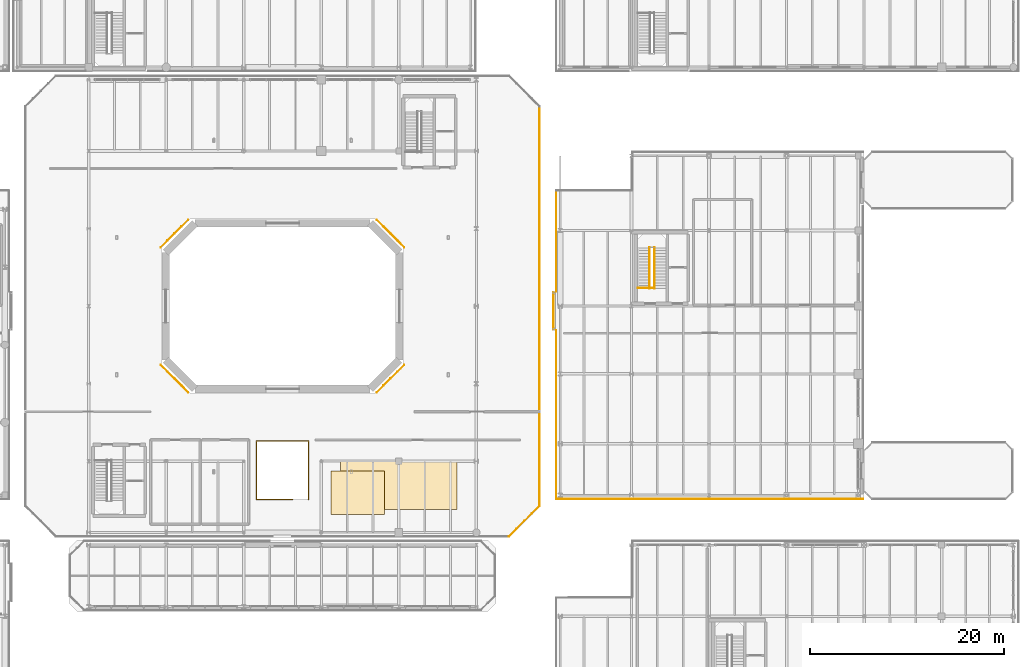
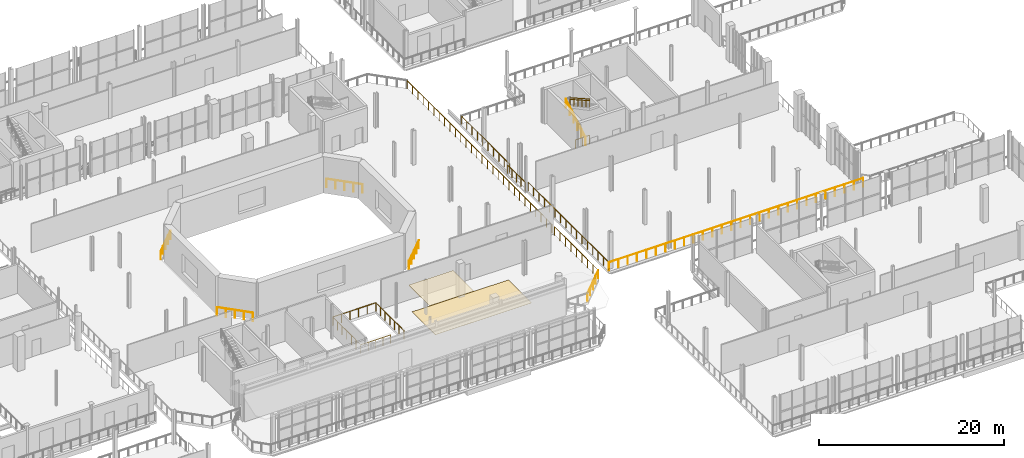
# One storey, part 85 of 93: 17 railings, 2 coverings.
"""IFC4 building model written with IfcOpenShell, lengths in metres."""

from ifc_helpers import new_model, si_unit, direction, frame, origin, origin_2d, place, context, subcontext, project, spatial, rectangle, circle, extrude, material, layer, layer_set, type_object, element, save


model = new_model("IFC4")

# Units and contexts
model_context = context("Model", 3, precision=1e-05, world=origin(), true_north=direction((0.0, 1.0)))
body_context = subcontext(model_context, "Body", "Model", "MODEL_VIEW")
ifc_project = project(units=[si_unit("LENGTHUNIT", "METRE"), si_unit("AREAUNIT", "SQUARE_METRE"), si_unit("VOLUMEUNIT", "CUBIC_METRE"), si_unit("PLANEANGLEUNIT", "RADIAN"), si_unit("MASSUNIT", "GRAM", prefix="KILO")], contexts=[model_context])

# Site, building, storey
site_placement = place(None, origin())
site = spatial("IfcSite", under=ifc_project, at=site_placement, CompositionType="ELEMENT")
building_placement = place(site_placement, origin())
building = spatial("IfcBuilding", under=site, at=building_placement, Name="Brisemont Oceanarium", CompositionType="ELEMENT")
storey_placement = place(building_placement, frame((0.0, 0.0, 5.39990234375)))
storey = spatial("IfcBuildingStorey", under=building, at=storey_placement, Name="L01", CompositionType="ELEMENT", Elevation=5.39990234375)

# Coverings
ifc_material_1 = material(Name="Perforated Marine-Grade Acoustic Baffle Ceiling")
ifc_layer_1 = layer(ifc_material_1, 0.0400390625)
ifc_layer_set_1 = layer_set([ifc_layer_1], Name="Perforated Marine-Grade Acoustic Baffle Ceiling")
covering_type_1 = type_object("IfcCoveringType", Name="COV-CEIL-AC", PredefinedType="CEILING", material=ifc_layer_set_1)
covering_1_placement = place(storey_placement, frame((91.75, 36.75, 4.4599609375), z_axis=(0.0, 0.0, 1.0), x_axis=(1.0, 0.0, 0.0)))
element("IfcCovering", 1, at=covering_1_placement, inside=storey, type_object=covering_type_1, Name="Acoustic baffle ceiling CLG-V1-L01", PredefinedType="CEILING", context=body_context, shape_type="SweptSolid", body=[
    extrude(rectangle(XDim=5.5, YDim=4.5, at=origin_2d()), origin(), (0.0, 0.0, 1.0), 0.0400390625),
])
ifc_material_2 = material(Name="Epoxy-Bound Recycled Glass Marine Terrazzo", Category="glass")
ifc_layer_2 = layer(ifc_material_2, 0.02490234375)
ifc_layer_set_2 = layer_set([ifc_layer_2], Name="Epoxy-Bound Recycled Glass Marine Terrazzo")
covering_type_2 = type_object("IfcCoveringType", Name="COV-FLR-TER", PredefinedType="FLOORING", material=ifc_layer_set_2)
covering_2_placement = place(storey_placement, frame((96.0, 37.5, 0.000244140625), z_axis=(0.0, 0.0, 1.0), x_axis=(1.0, 0.0, 0.0)))
element("IfcCovering", 2, at=covering_2_placement, inside=storey, type_object=covering_type_2, Name="Marine terrazzo flooring FLG-V1-L01", PredefinedType="FLOORING", context=body_context, shape_type="SweptSolid", body=[
    extrude(rectangle(XDim=12.0, YDim=5.0, at=origin_2d()), origin(), (0.0, 0.0, 1.0), 0.02490234375),
])

# Railings
ifc_material_3 = material(Name="Beaux-Arts Limestone Balustrade Precast Concrete C40/50", Category="masonry")
railing_type_1 = type_object("IfcRailingType", Name="RLG-BAL-1140", PredefinedType="BALUSTRADE", material=ifc_material_3)
railing_1_placement = place(storey_placement, frame((85.0400390625, 36.050048828125, 0.0)))
element("IfcRailing", 3, at=railing_1_placement, inside=storey, type_object=railing_type_1, Name="ST-11 L01 well balustrade", PredefinedType="BALUSTRADE", context=body_context, shape_type="SweptSolid", body=[
    extrude(circle(Radius=0.02392578125, at=origin_2d()), frame((0.0, 0.0, 1.11572265625), z_axis=(-1.0, 0.0, 0.0), x_axis=(0.0, -1.0, 0.0)), (0.0, 0.0, 1.0), 3.719970703125),
    extrude(circle(Radius=0.02392578125, at=origin_2d()), frame((-3.719970703125, 0.0, 1.11572265625), z_axis=(0.0, 1.0, 0.0), x_axis=(-1.0, 0.0, 0.0)), (0.0, 0.0, 1.0), 6.030029296875),
    extrude(circle(Radius=0.02392578125, at=origin_2d()), frame((-3.719970703125, 6.030029296875, 1.11572265625), z_axis=(1.0, 0.0, 0.0), x_axis=(0.0, 1.0, 0.0)), (0.0, 0.0, 1.0), 5.35986328125),
    extrude(circle(Radius=0.02392578125, at=origin_2d()), frame((1.639892578125, 6.030029296875, 1.11572265625), z_axis=(0.0, -1.0, 0.0), x_axis=(1.0, 0.0, 0.0)), (0.0, 0.0, 1.0), 6.030029296875),
    extrude(circle(Radius=0.02099609375, at=origin_2d()), origin(), (0.0, 0.0, 1.0), 1.091796875),
    extrude(circle(Radius=0.02099609375, at=origin_2d()), frame((-0.929931640625, 0.0, 0.0)), (0.0, 0.0, 1.0), 1.091796875),
    extrude(circle(Radius=0.02099609375, at=origin_2d()), frame((-1.85986328125, 0.0, 0.0)), (0.0, 0.0, 1.0), 1.091796875),
    extrude(circle(Radius=0.02099609375, at=origin_2d()), frame((-2.7900390625, 0.0, 0.0)), (0.0, 0.0, 1.0), 1.091796875),
    extrude(circle(Radius=0.02099609375, at=origin_2d()), frame((-3.719970703125, 0.0, 0.0)), (0.0, 0.0, 1.0), 1.091796875),
    extrude(circle(Radius=0.02099609375, at=origin_2d()), frame((-3.719970703125, 1.0048828125, 0.0)), (0.0, 0.0, 1.0), 1.091796875),
    extrude(circle(Radius=0.02099609375, at=origin_2d()), frame((-3.719970703125, 2.010009765625, 0.0)), (0.0, 0.0, 1.0), 1.091796875),
    extrude(circle(Radius=0.02099609375, at=origin_2d()), frame((-3.719970703125, 3.01513671875, 0.0)), (0.0, 0.0, 1.0), 1.091796875),
    extrude(circle(Radius=0.02099609375, at=origin_2d()), frame((-3.719970703125, 4.02001953125, 0.0)), (0.0, 0.0, 1.0), 1.091796875),
    extrude(circle(Radius=0.02099609375, at=origin_2d()), frame((-3.719970703125, 5.02490234375, 0.0)), (0.0, 0.0, 1.0), 1.091796875),
    extrude(circle(Radius=0.02099609375, at=origin_2d()), frame((-3.719970703125, 6.030029296875, 0.0)), (0.0, 0.0, 1.0), 1.091796875),
    extrude(circle(Radius=0.02099609375, at=origin_2d()), frame((-2.64794921875, 6.030029296875, 0.0)), (0.0, 0.0, 1.0), 1.091796875),
    extrude(circle(Radius=0.02099609375, at=origin_2d()), frame((-1.575927734375, 6.030029296875, 0.0)), (0.0, 0.0, 1.0), 1.091796875),
    extrude(circle(Radius=0.02099609375, at=origin_2d()), frame((-0.504150390625, 6.030029296875, 0.0)), (0.0, 0.0, 1.0), 1.091796875),
    extrude(circle(Radius=0.02099609375, at=origin_2d()), frame((0.56787109375, 6.030029296875, 0.0)), (0.0, 0.0, 1.0), 1.091796875),
    extrude(circle(Radius=0.02099609375, at=origin_2d()), frame((1.639892578125, 6.030029296875, 0.0)), (0.0, 0.0, 1.0), 1.091796875),
    extrude(circle(Radius=0.02099609375, at=origin_2d()), frame((1.639892578125, 5.02490234375, 0.0)), (0.0, 0.0, 1.0), 1.091796875),
    extrude(circle(Radius=0.02099609375, at=origin_2d()), frame((1.639892578125, 4.02001953125, 0.0)), (0.0, 0.0, 1.0), 1.091796875),
    extrude(circle(Radius=0.02099609375, at=origin_2d()), frame((1.639892578125, 3.01513671875, 0.0)), (0.0, 0.0, 1.0), 1.091796875),
    extrude(circle(Radius=0.02099609375, at=origin_2d()), frame((1.639892578125, 2.010009765625, 0.0)), (0.0, 0.0, 1.0), 1.091796875),
    extrude(circle(Radius=0.02099609375, at=origin_2d()), frame((1.639892578125, 1.0048828125, 0.0)), (0.0, 0.0, 1.0), 1.091796875),
    extrude(circle(Radius=0.02099609375, at=origin_2d()), frame((1.639892578125, 0.0, 0.0)), (0.0, 0.0, 1.0), 1.091796875),
])
railing_2_placement = place(storey_placement, frame((111.93994140625, 53.590087890625, 0.0)))
element("IfcRailing", 4, at=railing_2_placement, inside=storey, type_object=railing_type_1, Name="L01 slab perimeter safety guard 20", PredefinedType="BALUSTRADE", context=body_context, shape_type="SweptSolid", body=[
    extrude(circle(Radius=0.02392578125, at=origin_2d()), frame((0.0, 0.0, 1.11572265625), z_axis=(0.0, 1.0, 0.0), x_axis=(-1.0, 0.0, 0.0)), (0.0, 0.0, 1.0), 3.81982421875),
    extrude(circle(Radius=0.02099609375, at=origin_2d()), origin(), (0.0, 0.0, 1.0), 1.091796875),
    extrude(circle(Radius=0.02099609375, at=origin_2d()), frame((0.0, 0.955078125, 0.0)), (0.0, 0.0, 1.0), 1.091796875),
    extrude(circle(Radius=0.02099609375, at=origin_2d()), frame((0.0, 1.909912109375, 0.0)), (0.0, 0.0, 1.0), 1.091796875),
    extrude(circle(Radius=0.02099609375, at=origin_2d()), frame((0.0, 2.86474609375, 0.0)), (0.0, 0.0, 1.0), 1.091796875),
    extrude(circle(Radius=0.02099609375, at=origin_2d()), frame((0.0, 3.81982421875, 0.0)), (0.0, 0.0, 1.0), 1.091796875),
])
railing_3_placement = place(storey_placement, frame((143.909912109375, 36.090576171875, 0.0)))
element("IfcRailing", 5, at=railing_3_placement, inside=storey, type_object=railing_type_1, Name="L01 slab perimeter safety guard 40", PredefinedType="BALUSTRADE", context=body_context, shape_type="SweptSolid", body=[
    extrude(circle(Radius=0.02392578125, at=origin_2d()), frame((0.0, 0.0, 1.11572265625), z_axis=(-0.999999999881, -1.5418061e-05, 0.0), x_axis=(1.5418061e-05, -0.999999999881, 0.0)), (0.0, 0.0, 1.0), 31.66943359375),
    extrude(circle(Radius=0.02099609375, at=origin_2d()), origin(), (0.0, 0.0, 1.0), 1.091796875),
    extrude(circle(Radius=0.02099609375, at=origin_2d()), frame((-1.1728515625, 0.0, 0.0)), (0.0, 0.0, 1.0), 1.091796875),
    extrude(circle(Radius=0.02099609375, at=origin_2d()), frame((-2.345947265625, 0.0, 0.0)), (0.0, 0.0, 1.0), 1.091796875),
    extrude(circle(Radius=0.02099609375, at=origin_2d()), frame((-3.518798828125, 0.0, 0.0)), (0.0, 0.0, 1.0), 1.091796875),
    extrude(circle(Radius=0.02099609375, at=origin_2d()), frame((-4.691650390625, 0.0, 0.0)), (0.0, 0.0, 1.0), 1.091796875),
    extrude(circle(Radius=0.02099609375, at=origin_2d()), frame((-5.86474609375, 0.0, 0.0)), (0.0, 0.0, 1.0), 1.091796875),
    extrude(circle(Radius=0.02099609375, at=origin_2d()), frame((-7.03759765625, 0.0, 0.0)), (0.0, 0.0, 1.0), 1.091796875),
    extrude(circle(Radius=0.02099609375, at=origin_2d()), frame((-8.210693359375, -0.000244140625, 0.0)), (0.0, 0.0, 1.0), 1.091796875),
    extrude(circle(Radius=0.02099609375, at=origin_2d()), frame((-9.383544921875, -0.000244140625, 0.0)), (0.0, 0.0, 1.0), 1.091796875),
    extrude(circle(Radius=0.02099609375, at=origin_2d()), frame((-10.556396484375, -0.000244140625, 0.0)), (0.0, 0.0, 1.0), 1.091796875),
    extrude(circle(Radius=0.02099609375, at=origin_2d()), frame((-11.7294921875, -0.000244140625, 0.0)), (0.0, 0.0, 1.0), 1.091796875),
    extrude(circle(Radius=0.02099609375, at=origin_2d()), frame((-12.90234375, -0.000244140625, 0.0)), (0.0, 0.0, 1.0), 1.091796875),
    extrude(circle(Radius=0.02099609375, at=origin_2d()), frame((-14.0751953125, -0.000244140625, 0.0)), (0.0, 0.0, 1.0), 1.091796875),
    extrude(circle(Radius=0.02099609375, at=origin_2d()), frame((-15.248291015625, -0.000244140625, 0.0)), (0.0, 0.0, 1.0), 1.091796875),
    extrude(circle(Radius=0.02099609375, at=origin_2d()), frame((-16.421142578125, -0.000244140625, 0.0)), (0.0, 0.0, 1.0), 1.091796875),
    extrude(circle(Radius=0.02099609375, at=origin_2d()), frame((-17.59423828125, -0.000244140625, 0.0)), (0.0, 0.0, 1.0), 1.091796875),
    extrude(circle(Radius=0.02099609375, at=origin_2d()), frame((-18.76708984375, -0.000244140625, 0.0)), (0.0, 0.0, 1.0), 1.091796875),
    extrude(circle(Radius=0.02099609375, at=origin_2d()), frame((-19.93994140625, -0.000244140625, 0.0)), (0.0, 0.0, 1.0), 1.091796875),
    extrude(circle(Radius=0.02099609375, at=origin_2d()), frame((-21.113037109375, -0.000244140625, 0.0)), (0.0, 0.0, 1.0), 1.091796875),
    extrude(circle(Radius=0.02099609375, at=origin_2d()), frame((-22.285888671875, -0.000244140625, 0.0)), (0.0, 0.0, 1.0), 1.091796875),
    extrude(circle(Radius=0.02099609375, at=origin_2d()), frame((-23.458740234375, -0.000244140625, 0.0)), (0.0, 0.0, 1.0), 1.091796875),
    extrude(circle(Radius=0.02099609375, at=origin_2d()), frame((-24.6318359375, -0.00048828125, 0.0)), (0.0, 0.0, 1.0), 1.091796875),
    extrude(circle(Radius=0.02099609375, at=origin_2d()), frame((-25.8046875, -0.00048828125, 0.0)), (0.0, 0.0, 1.0), 1.091796875),
    extrude(circle(Radius=0.02099609375, at=origin_2d()), frame((-26.977783203125, -0.00048828125, 0.0)), (0.0, 0.0, 1.0), 1.091796875),
    extrude(circle(Radius=0.02099609375, at=origin_2d()), frame((-28.150634765625, -0.00048828125, 0.0)), (0.0, 0.0, 1.0), 1.091796875),
    extrude(circle(Radius=0.02099609375, at=origin_2d()), frame((-29.323486328125, -0.00048828125, 0.0)), (0.0, 0.0, 1.0), 1.091796875),
    extrude(circle(Radius=0.02099609375, at=origin_2d()), frame((-30.49658203125, -0.00048828125, 0.0)), (0.0, 0.0, 1.0), 1.091796875),
    extrude(circle(Radius=0.02099609375, at=origin_2d()), frame((-31.66943359375, -0.00048828125, 0.0)), (0.0, 0.0, 1.0), 1.091796875),
])
railing_4_placement = place(storey_placement, frame((110.510009765625, 44.800537109375, 0.0)))
element("IfcRailing", 6, at=railing_4_placement, inside=storey, type_object=railing_type_1, Name="L01 slab perimeter safety guard 48", PredefinedType="BALUSTRADE", context=body_context, shape_type="SweptSolid", body=[
    extrude(circle(Radius=0.02392578125, at=origin_2d()), frame((0.0, 0.0, 1.11572265625), z_axis=(0.0, -1.0, 0.0), x_axis=(1.0, 0.0, 0.0)), (0.0, 0.0, 1.0), 9.413330078125),
    extrude(circle(Radius=0.02099609375, at=origin_2d()), origin(), (0.0, 0.0, 1.0), 1.091796875),
    extrude(circle(Radius=0.02099609375, at=origin_2d()), frame((0.0, -1.1767578125, 0.0)), (0.0, 0.0, 1.0), 1.091796875),
    extrude(circle(Radius=0.02099609375, at=origin_2d()), frame((0.0, -2.353271484375, 0.0)), (0.0, 0.0, 1.0), 1.091796875),
    extrude(circle(Radius=0.02099609375, at=origin_2d()), frame((0.0, -3.530029296875, 0.0)), (0.0, 0.0, 1.0), 1.091796875),
    extrude(circle(Radius=0.02099609375, at=origin_2d()), frame((0.0, -4.70654296875, 0.0)), (0.0, 0.0, 1.0), 1.091796875),
    extrude(circle(Radius=0.02099609375, at=origin_2d()), frame((0.0, -5.88330078125, 0.0)), (0.0, 0.0, 1.0), 1.091796875),
    extrude(circle(Radius=0.02099609375, at=origin_2d()), frame((0.0, -7.06005859375, 0.0)), (0.0, 0.0, 1.0), 1.091796875),
    extrude(circle(Radius=0.02099609375, at=origin_2d()), frame((0.0, -8.236572265625, 0.0)), (0.0, 0.0, 1.0), 1.091796875),
    extrude(circle(Radius=0.02099609375, at=origin_2d()), frame((0.0, -9.413330078125, 0.0)), (0.0, 0.0, 1.0), 1.091796875),
])
railing_5_placement = place(storey_placement, frame((96.560791015625, 62.06640625, 0.0)))
element("IfcRailing", 7, at=railing_5_placement, inside=storey, type_object=railing_type_1, Name="L01 slab perimeter safety guard 56", PredefinedType="BALUSTRADE", context=body_context, shape_type="SweptSolid", body=[
    extrude(circle(Radius=0.02392578125, at=origin_2d()), frame((0.0, 0.0, 1.11572265625), z_axis=(-0.707106781187, 0.707106781187, 0.0), x_axis=(-0.707106781187, -0.707106781187, 0.0)), (0.0, 0.0, 1.0), 4.01171875),
    extrude(circle(Radius=0.02099609375, at=origin_2d()), origin(), (0.0, 0.0, 1.0), 1.091796875),
    extrude(circle(Radius=0.02099609375, at=origin_2d()), frame((-0.709228515625, 0.709228515625, 0.0)), (0.0, 0.0, 1.0), 1.091796875),
    extrude(circle(Radius=0.02099609375, at=origin_2d()), frame((-1.41845703125, 1.41845703125, 0.0)), (0.0, 0.0, 1.0), 1.091796875),
    extrude(circle(Radius=0.02099609375, at=origin_2d()), frame((-2.12744140625, 2.12744140625, 0.0)), (0.0, 0.0, 1.0), 1.091796875),
    extrude(circle(Radius=0.02099609375, at=origin_2d()), frame((-2.836669921875, 2.836669921875, 0.0)), (0.0, 0.0, 1.0), 1.091796875),
])
ifc_material_4 = material(Name="Duplex Stainless Steel EN 1.4462", Category="steel")
railing_type_2 = type_object("IfcRailingType", Name="RLG-GUARD-1120", PredefinedType="GUARDRAIL", material=ifc_material_4)
railing_6_placement = place(storey_placement, frame((120.669921875, 57.860107421875, 0.0)))
element("IfcRailing", 8, at=railing_6_placement, inside=storey, type_object=railing_type_2, Name="ST-06 L01 landing edge guard", PredefinedType="GUARDRAIL", context=body_context, shape_type="SweptSolid", body=[
    extrude(circle(Radius=0.02392578125, at=origin_2d()), frame((0.0, 0.0, 1.09619140625), z_axis=(1.0, 0.0, 0.0), x_axis=(0.0, 1.0, 0.0)), (0.0, 0.0, 1.0), 1.719970703125),
    extrude(circle(Radius=0.02099609375, at=origin_2d()), origin(), (0.0, 0.0, 1.0), 1.072021484375),
    extrude(circle(Radius=0.02099609375, at=origin_2d()), frame((0.85986328125, 0.0, 0.0)), (0.0, 0.0, 1.0), 1.072021484375),
    extrude(circle(Radius=0.02099609375, at=origin_2d()), frame((1.719970703125, 0.0, 0.0)), (0.0, 0.0, 1.0), 1.072021484375),
])
railing_7_placement = place(storey_placement, frame((121.8701171875, 57.800048828125, 0.0)))
element("IfcRailing", 9, at=railing_7_placement, inside=storey, type_object=railing_type_2, Name="ST-06 L01 F1 well guard", PredefinedType="GUARDRAIL", context=body_context, shape_type="SweptSolid", body=[
    extrude(circle(Radius=0.02392578125, at=origin_2d()), frame((0.0, 0.0, 1.09619140625), z_axis=(0.0, 0.870740716755, 0.491742416499), x_axis=(-1.0, 0.0, 0.0)), (0.0, 0.0, 1.0), 4.880859375),
    extrude(circle(Radius=0.02099609375, at=origin_2d()), origin(), (0.0, 0.0, 1.0), 1.072021484375),
    extrude(circle(Radius=0.02099609375, at=origin_2d()), frame((0.0, 0.85009765625, 0.47998046875)), (0.0, 0.0, 1.0), 1.072021484375),
    extrude(circle(Radius=0.02099609375, at=origin_2d()), frame((0.0, 1.699951171875, 0.9599609375)), (0.0, 0.0, 1.0), 1.072021484375),
    extrude(circle(Radius=0.02099609375, at=origin_2d()), frame((0.0, 2.550048828125, 1.440185546875)), (0.0, 0.0, 1.0), 1.072021484375),
    extrude(circle(Radius=0.02099609375, at=origin_2d()), frame((0.0, 3.39990234375, 1.920166015625)), (0.0, 0.0, 1.0), 1.072021484375),
    extrude(circle(Radius=0.02099609375, at=origin_2d()), frame((0.0, 4.25, 2.400146484375)), (0.0, 0.0, 1.0), 1.072021484375),
])
railing_8_placement = place(storey_placement, frame((122.389892578125, 62.050048828125, 2.400146484375)))
element("IfcRailing", 10, at=railing_8_placement, inside=storey, type_object=railing_type_2, Name="ST-06 L01 F2 well guard", PredefinedType="GUARDRAIL", context=body_context, shape_type="SweptSolid", body=[
    extrude(circle(Radius=0.02392578125, at=origin_2d()), frame((0.0, 0.0, 1.09619140625), z_axis=(0.0, -0.870762133844, 0.491704490791), x_axis=(1.0, 0.0, 0.0)), (0.0, 0.0, 1.0), 4.880859375),
    extrude(circle(Radius=0.02099609375, at=origin_2d()), origin(), (0.0, 0.0, 1.0), 1.072021484375),
    extrude(circle(Radius=0.02099609375, at=origin_2d()), frame((0.0, -0.85009765625, 0.47998046875)), (0.0, 0.0, 1.0), 1.072021484375),
    extrude(circle(Radius=0.02099609375, at=origin_2d()), frame((0.0, -1.699951171875, 0.9599609375)), (0.0, 0.0, 1.0), 1.072021484375),
    extrude(circle(Radius=0.02099609375, at=origin_2d()), frame((0.0, -2.550048828125, 1.43994140625)), (0.0, 0.0, 1.0), 1.072021484375),
    extrude(circle(Radius=0.02099609375, at=origin_2d()), frame((0.0, -3.39990234375, 1.919921875)), (0.0, 0.0, 1.0), 1.072021484375),
    extrude(circle(Radius=0.02099609375, at=origin_2d()), frame((0.0, -4.25, 2.39990234375)), (0.0, 0.0, 1.0), 1.072021484375),
])
railing_9_placement = place(storey_placement, frame((112.239990234375, 57.50830078125, 0.0)))
element("IfcRailing", 11, at=railing_9_placement, inside=storey, type_object=railing_type_2, Name="L01 slab perimeter safety guard 21", PredefinedType="GUARDRAIL", context=body_context, shape_type="SweptSolid", body=[
    extrude(circle(Radius=0.02392578125, at=origin_2d()), frame((0.0, 0.0, 1.09619140625), z_axis=(0.0, 1.0, 0.0), x_axis=(-1.0, 0.0, 0.0)), (0.0, 0.0, 1.0), 10.401123046875),
    extrude(circle(Radius=0.02099609375, at=origin_2d()), origin(), (0.0, 0.0, 1.0), 1.072021484375),
    extrude(circle(Radius=0.02099609375, at=origin_2d()), frame((0.0, 1.15576171875, 0.0)), (0.0, 0.0, 1.0), 1.072021484375),
    extrude(circle(Radius=0.02099609375, at=origin_2d()), frame((0.0, 2.311279296875, 0.0)), (0.0, 0.0, 1.0), 1.072021484375),
    extrude(circle(Radius=0.02099609375, at=origin_2d()), frame((0.0, 3.467041015625, 0.0)), (0.0, 0.0, 1.0), 1.072021484375),
    extrude(circle(Radius=0.02099609375, at=origin_2d()), frame((0.0, 4.622802734375, 0.0)), (0.0, 0.0, 1.0), 1.072021484375),
    extrude(circle(Radius=0.02099609375, at=origin_2d()), frame((0.0, 5.7783203125, 0.0)), (0.0, 0.0, 1.0), 1.072021484375),
    extrude(circle(Radius=0.02099609375, at=origin_2d()), frame((0.0, 6.93408203125, 0.0)), (0.0, 0.0, 1.0), 1.072021484375),
    extrude(circle(Radius=0.02099609375, at=origin_2d()), frame((0.0, 8.08984375, 0.0)), (0.0, 0.0, 1.0), 1.072021484375),
    extrude(circle(Radius=0.02099609375, at=origin_2d()), frame((0.0, 9.245361328125, 0.0)), (0.0, 0.0, 1.0), 1.072021484375),
    extrude(circle(Radius=0.02099609375, at=origin_2d()), frame((0.0, 10.401123046875, 0.0)), (0.0, 0.0, 1.0), 1.072021484375),
])
railing_10_placement = place(storey_placement, frame((112.240478515625, 36.090087890625, 0.0)))
element("IfcRailing", 12, at=railing_10_placement, inside=storey, type_object=railing_type_2, Name="L01 slab perimeter safety guard 41", PredefinedType="GUARDRAIL", context=body_context, shape_type="SweptSolid", body=[
    extrude(circle(Radius=0.02392578125, at=origin_2d()), frame((0.0, 0.0, 1.09619140625), z_axis=(-2.8059542e-05, 0.999999999606, 0.0), x_axis=(-0.999999999606, -2.8059542e-05, 0.0)), (0.0, 0.0, 1.0), 17.401611328125),
    extrude(circle(Radius=0.02099609375, at=origin_2d()), origin(), (0.0, 0.0, 1.0), 1.072021484375),
    extrude(circle(Radius=0.02099609375, at=origin_2d()), frame((0.0, 1.16015625, 0.0)), (0.0, 0.0, 1.0), 1.072021484375),
    extrude(circle(Radius=0.02099609375, at=origin_2d()), frame((0.0, 2.3203125, 0.0)), (0.0, 0.0, 1.0), 1.072021484375),
    extrude(circle(Radius=0.02099609375, at=origin_2d()), frame((0.0, 3.480224609375, 0.0)), (0.0, 0.0, 1.0), 1.072021484375),
    extrude(circle(Radius=0.02099609375, at=origin_2d()), frame((-0.000244140625, 4.640380859375, 0.0)), (0.0, 0.0, 1.0), 1.072021484375),
    extrude(circle(Radius=0.02099609375, at=origin_2d()), frame((-0.000244140625, 5.800537109375, 0.0)), (0.0, 0.0, 1.0), 1.072021484375),
    extrude(circle(Radius=0.02099609375, at=origin_2d()), frame((-0.000244140625, 6.960693359375, 0.0)), (0.0, 0.0, 1.0), 1.072021484375),
    extrude(circle(Radius=0.02099609375, at=origin_2d()), frame((-0.000244140625, 8.120849609375, 0.0)), (0.0, 0.0, 1.0), 1.072021484375),
    extrude(circle(Radius=0.02099609375, at=origin_2d()), frame((-0.000244140625, 9.28076171875, 0.0)), (0.0, 0.0, 1.0), 1.072021484375),
    extrude(circle(Radius=0.02099609375, at=origin_2d()), frame((-0.000244140625, 10.44091796875, 0.0)), (0.0, 0.0, 1.0), 1.072021484375),
    extrude(circle(Radius=0.02099609375, at=origin_2d()), frame((-0.000244140625, 11.60107421875, 0.0)), (0.0, 0.0, 1.0), 1.072021484375),
    extrude(circle(Radius=0.02099609375, at=origin_2d()), frame((-0.000244140625, 12.76123046875, 0.0)), (0.0, 0.0, 1.0), 1.072021484375),
    extrude(circle(Radius=0.02099609375, at=origin_2d()), frame((-0.00048828125, 13.92138671875, 0.0)), (0.0, 0.0, 1.0), 1.072021484375),
    extrude(circle(Radius=0.02099609375, at=origin_2d()), frame((-0.00048828125, 15.081298828125, 0.0)), (0.0, 0.0, 1.0), 1.072021484375),
    extrude(circle(Radius=0.02099609375, at=origin_2d()), frame((-0.00048828125, 16.241455078125, 0.0)), (0.0, 0.0, 1.0), 1.072021484375),
    extrude(circle(Radius=0.02099609375, at=origin_2d()), frame((-0.00048828125, 17.401611328125, 0.0)), (0.0, 0.0, 1.0), 1.072021484375),
])
railing_11_placement = place(storey_placement, frame((110.510009765625, 76.61279296875, 0.0)))
element("IfcRailing", 13, at=railing_11_placement, inside=storey, type_object=railing_type_2, Name="L01 slab perimeter safety guard 47", PredefinedType="GUARDRAIL", context=body_context, shape_type="SweptSolid", body=[
    extrude(circle(Radius=0.02392578125, at=origin_2d()), frame((0.0, 0.0, 1.09619140625), z_axis=(0.0, -1.0, 0.0), x_axis=(1.0, 0.0, 0.0)), (0.0, 0.0, 1.0), 31.21337890625),
    extrude(circle(Radius=0.02099609375, at=origin_2d()), origin(), (0.0, 0.0, 1.0), 1.072021484375),
    extrude(circle(Radius=0.02099609375, at=origin_2d()), frame((0.0, -1.156005859375, 0.0)), (0.0, 0.0, 1.0), 1.072021484375),
    extrude(circle(Radius=0.02099609375, at=origin_2d()), frame((0.0, -2.31201171875, 0.0)), (0.0, 0.0, 1.0), 1.072021484375),
    extrude(circle(Radius=0.02099609375, at=origin_2d()), frame((0.0, -3.46826171875, 0.0)), (0.0, 0.0, 1.0), 1.072021484375),
    extrude(circle(Radius=0.02099609375, at=origin_2d()), frame((0.0, -4.624267578125, 0.0)), (0.0, 0.0, 1.0), 1.072021484375),
    extrude(circle(Radius=0.02099609375, at=origin_2d()), frame((0.0, -5.7802734375, 0.0)), (0.0, 0.0, 1.0), 1.072021484375),
    extrude(circle(Radius=0.02099609375, at=origin_2d()), frame((0.0, -6.936279296875, 0.0)), (0.0, 0.0, 1.0), 1.072021484375),
    extrude(circle(Radius=0.02099609375, at=origin_2d()), frame((0.0, -8.09228515625, 0.0)), (0.0, 0.0, 1.0), 1.072021484375),
    extrude(circle(Radius=0.02099609375, at=origin_2d()), frame((0.0, -9.248291015625, 0.0)), (0.0, 0.0, 1.0), 1.072021484375),
    extrude(circle(Radius=0.02099609375, at=origin_2d()), frame((0.0, -10.404541015625, 0.0)), (0.0, 0.0, 1.0), 1.072021484375),
    extrude(circle(Radius=0.02099609375, at=origin_2d()), frame((0.0, -11.560546875, 0.0)), (0.0, 0.0, 1.0), 1.072021484375),
    extrude(circle(Radius=0.02099609375, at=origin_2d()), frame((0.0, -12.716552734375, 0.0)), (0.0, 0.0, 1.0), 1.072021484375),
    extrude(circle(Radius=0.02099609375, at=origin_2d()), frame((0.0, -13.87255859375, 0.0)), (0.0, 0.0, 1.0), 1.072021484375),
    extrude(circle(Radius=0.02099609375, at=origin_2d()), frame((0.0, -15.028564453125, 0.0)), (0.0, 0.0, 1.0), 1.072021484375),
    extrude(circle(Radius=0.02099609375, at=origin_2d()), frame((0.0, -16.184814453125, 0.0)), (0.0, 0.0, 1.0), 1.072021484375),
    extrude(circle(Radius=0.02099609375, at=origin_2d()), frame((0.0, -17.3408203125, 0.0)), (0.0, 0.0, 1.0), 1.072021484375),
    extrude(circle(Radius=0.02099609375, at=origin_2d()), frame((0.0, -18.496826171875, 0.0)), (0.0, 0.0, 1.0), 1.072021484375),
    extrude(circle(Radius=0.02099609375, at=origin_2d()), frame((0.0, -19.65283203125, 0.0)), (0.0, 0.0, 1.0), 1.072021484375),
    extrude(circle(Radius=0.02099609375, at=origin_2d()), frame((0.0, -20.808837890625, 0.0)), (0.0, 0.0, 1.0), 1.072021484375),
    extrude(circle(Radius=0.02099609375, at=origin_2d()), frame((0.0, -21.965087890625, 0.0)), (0.0, 0.0, 1.0), 1.072021484375),
    extrude(circle(Radius=0.02099609375, at=origin_2d()), frame((0.0, -23.12109375, 0.0)), (0.0, 0.0, 1.0), 1.072021484375),
    extrude(circle(Radius=0.02099609375, at=origin_2d()), frame((0.0, -24.277099609375, 0.0)), (0.0, 0.0, 1.0), 1.072021484375),
    extrude(circle(Radius=0.02099609375, at=origin_2d()), frame((0.0, -25.43310546875, 0.0)), (0.0, 0.0, 1.0), 1.072021484375),
    extrude(circle(Radius=0.02099609375, at=origin_2d()), frame((0.0, -26.589111328125, 0.0)), (0.0, 0.0, 1.0), 1.072021484375),
    extrude(circle(Radius=0.02099609375, at=origin_2d()), frame((0.0, -27.7451171875, 0.0)), (0.0, 0.0, 1.0), 1.072021484375),
    extrude(circle(Radius=0.02099609375, at=origin_2d()), frame((0.0, -28.9013671875, 0.0)), (0.0, 0.0, 1.0), 1.072021484375),
    extrude(circle(Radius=0.02099609375, at=origin_2d()), frame((0.0, -30.057373046875, 0.0)), (0.0, 0.0, 1.0), 1.072021484375),
    extrude(circle(Radius=0.02099609375, at=origin_2d()), frame((0.0, -31.21337890625, 0.0)), (0.0, 0.0, 1.0), 1.072021484375),
])
railing_12_placement = place(storey_placement, frame((110.510009765625, 35.38720703125, 0.0)))
element("IfcRailing", 14, at=railing_12_placement, inside=storey, type_object=railing_type_2, Name="L01 slab perimeter safety guard 49", PredefinedType="GUARDRAIL", context=body_context, shape_type="SweptSolid", body=[
    extrude(circle(Radius=0.02392578125, at=origin_2d()), frame((0.0, 0.0, 1.09619140625), z_axis=(-0.707106781187, -0.707106781187, 0.0), x_axis=(0.707106781187, -0.707106781187, 0.0)), (0.0, 0.0, 1.0), 4.450927734375),
    extrude(circle(Radius=0.02099609375, at=origin_2d()), origin(), (0.0, 0.0, 1.0), 1.072021484375),
    extrude(circle(Radius=0.02099609375, at=origin_2d()), frame((-0.786865234375, -0.786865234375, 0.0)), (0.0, 0.0, 1.0), 1.072021484375),
    extrude(circle(Radius=0.02099609375, at=origin_2d()), frame((-1.57373046875, -1.57373046875, 0.0)), (0.0, 0.0, 1.0), 1.072021484375),
    extrude(circle(Radius=0.02099609375, at=origin_2d()), frame((-2.3603515625, -2.3603515625, 0.0)), (0.0, 0.0, 1.0), 1.072021484375),
    extrude(circle(Radius=0.02099609375, at=origin_2d()), frame((-3.147216796875, -3.147216796875, 0.0)), (0.0, 0.0, 1.0), 1.072021484375),
])
railing_13_placement = place(storey_placement, frame((74.27587890625, 64.903076171875, 0.0)))
element("IfcRailing", 15, at=railing_13_placement, inside=storey, type_object=railing_type_2, Name="L01 slab perimeter safety guard 53", PredefinedType="GUARDRAIL", context=body_context, shape_type="SweptSolid", body=[
    extrude(circle(Radius=0.02392578125, at=origin_2d()), frame((0.0, 0.0, 1.09619140625), z_axis=(-0.707106781187, -0.707106781187, 0.0), x_axis=(0.707106781187, -0.707106781187, 0.0)), (0.0, 0.0, 1.0), 4.01171875),
    extrude(circle(Radius=0.02099609375, at=origin_2d()), origin(), (0.0, 0.0, 1.0), 1.072021484375),
    extrude(circle(Radius=0.02099609375, at=origin_2d()), frame((-0.709228515625, -0.709228515625, 0.0)), (0.0, 0.0, 1.0), 1.072021484375),
    extrude(circle(Radius=0.02099609375, at=origin_2d()), frame((-1.41845703125, -1.41845703125, 0.0)), (0.0, 0.0, 1.0), 1.072021484375),
    extrude(circle(Radius=0.02099609375, at=origin_2d()), frame((-2.12744140625, -2.12744140625, 0.0)), (0.0, 0.0, 1.0), 1.072021484375),
    extrude(circle(Radius=0.02099609375, at=origin_2d()), frame((-2.836669921875, -2.836669921875, 0.0)), (0.0, 0.0, 1.0), 1.072021484375),
])
railing_14_placement = place(storey_placement, frame((71.439208984375, 49.93359375, 0.0)))
element("IfcRailing", 16, at=railing_14_placement, inside=storey, type_object=railing_type_2, Name="L01 slab perimeter safety guard 54", PredefinedType="GUARDRAIL", context=body_context, shape_type="SweptSolid", body=[
    extrude(circle(Radius=0.02392578125, at=origin_2d()), frame((0.0, 0.0, 1.09619140625), z_axis=(0.707106781187, -0.707106781187, 0.0), x_axis=(0.707106781187, 0.707106781187, 0.0)), (0.0, 0.0, 1.0), 4.01171875),
    extrude(circle(Radius=0.02099609375, at=origin_2d()), origin(), (0.0, 0.0, 1.0), 1.072021484375),
    extrude(circle(Radius=0.02099609375, at=origin_2d()), frame((0.709228515625, -0.709228515625, 0.0)), (0.0, 0.0, 1.0), 1.072021484375),
    extrude(circle(Radius=0.02099609375, at=origin_2d()), frame((1.41845703125, -1.41845703125, 0.0)), (0.0, 0.0, 1.0), 1.072021484375),
    extrude(circle(Radius=0.02099609375, at=origin_2d()), frame((2.12744140625, -2.12744140625, 0.0)), (0.0, 0.0, 1.0), 1.072021484375),
    extrude(circle(Radius=0.02099609375, at=origin_2d()), frame((2.836669921875, -2.836669921875, 0.0)), (0.0, 0.0, 1.0), 1.072021484375),
])
railing_15_placement = place(storey_placement, frame((93.72412109375, 47.096923828125, 0.0)))
element("IfcRailing", 17, at=railing_15_placement, inside=storey, type_object=railing_type_2, Name="L01 slab perimeter safety guard 55", PredefinedType="GUARDRAIL", context=body_context, shape_type="SweptSolid", body=[
    extrude(circle(Radius=0.02392578125, at=origin_2d()), frame((0.0, 0.0, 1.09619140625), z_axis=(0.707106781187, 0.707106781187, 0.0), x_axis=(-0.707106781187, 0.707106781187, 0.0)), (0.0, 0.0, 1.0), 4.01171875),
    extrude(circle(Radius=0.02099609375, at=origin_2d()), origin(), (0.0, 0.0, 1.0), 1.072021484375),
    extrude(circle(Radius=0.02099609375, at=origin_2d()), frame((0.709228515625, 0.709228515625, 0.0)), (0.0, 0.0, 1.0), 1.072021484375),
    extrude(circle(Radius=0.02099609375, at=origin_2d()), frame((1.41845703125, 1.41845703125, 0.0)), (0.0, 0.0, 1.0), 1.072021484375),
    extrude(circle(Radius=0.02099609375, at=origin_2d()), frame((2.12744140625, 2.12744140625, 0.0)), (0.0, 0.0, 1.0), 1.072021484375),
    extrude(circle(Radius=0.02099609375, at=origin_2d()), frame((2.836669921875, 2.836669921875, 0.0)), (0.0, 0.0, 1.0), 1.072021484375),
])
ifc_material_5 = material(Name="Duplex Stainless Steel EN 1.4462", Category="steel")
railing_type_3 = type_object("IfcRailingType", Name="RLG-HAND-900", PredefinedType="HANDRAIL", material=ifc_material_5)
railing_16_placement = place(storey_placement, frame((121.8701171875, 57.800048828125, 0.0)))
element("IfcRailing", 18, at=railing_16_placement, inside=storey, type_object=railing_type_3, Name="ST-06 L01 F1 handrail", PredefinedType="HANDRAIL", context=body_context, shape_type="SweptSolid", body=[
    extrude(circle(Radius=0.02392578125, at=origin_2d()), frame((0.0, 0.0, 0.8759765625), z_axis=(0.0, 0.870740716755, 0.491742416499), x_axis=(-1.0, 0.0, 0.0)), (0.0, 0.0, 1.0), 4.880859375),
    extrude(circle(Radius=0.02099609375, at=origin_2d()), origin(), (0.0, 0.0, 1.0), 0.851806640625),
    extrude(circle(Radius=0.02099609375, at=origin_2d()), frame((0.0, 0.85009765625, 0.47998046875)), (0.0, 0.0, 1.0), 0.851806640625),
    extrude(circle(Radius=0.02099609375, at=origin_2d()), frame((0.0, 1.699951171875, 0.9599609375)), (0.0, 0.0, 1.0), 0.851806640625),
    extrude(circle(Radius=0.02099609375, at=origin_2d()), frame((0.0, 2.550048828125, 1.440185546875)), (0.0, 0.0, 1.0), 0.851806640625),
    extrude(circle(Radius=0.02099609375, at=origin_2d()), frame((0.0, 3.39990234375, 1.920166015625)), (0.0, 0.0, 1.0), 0.851806640625),
    extrude(circle(Radius=0.02099609375, at=origin_2d()), frame((0.0, 4.25, 2.400146484375)), (0.0, 0.0, 1.0), 0.851806640625),
])
railing_17_placement = place(storey_placement, frame((122.389892578125, 62.050048828125, 2.400146484375)))
element("IfcRailing", 19, at=railing_17_placement, inside=storey, type_object=railing_type_3, Name="ST-06 L01 F2 handrail", PredefinedType="HANDRAIL", context=body_context, shape_type="SweptSolid", body=[
    extrude(circle(Radius=0.02392578125, at=origin_2d()), frame((0.0, 0.0, 0.8759765625), z_axis=(0.0, -0.870762133844, 0.491704490791), x_axis=(1.0, 0.0, 0.0)), (0.0, 0.0, 1.0), 4.880859375),
    extrude(circle(Radius=0.02099609375, at=origin_2d()), origin(), (0.0, 0.0, 1.0), 0.851806640625),
    extrude(circle(Radius=0.02099609375, at=origin_2d()), frame((0.0, -0.85009765625, 0.47998046875)), (0.0, 0.0, 1.0), 0.851806640625),
    extrude(circle(Radius=0.02099609375, at=origin_2d()), frame((0.0, -1.699951171875, 0.9599609375)), (0.0, 0.0, 1.0), 0.851806640625),
    extrude(circle(Radius=0.02099609375, at=origin_2d()), frame((0.0, -2.550048828125, 1.43994140625)), (0.0, 0.0, 1.0), 0.851806640625),
    extrude(circle(Radius=0.02099609375, at=origin_2d()), frame((0.0, -3.39990234375, 1.919921875)), (0.0, 0.0, 1.0), 0.851806640625),
    extrude(circle(Radius=0.02099609375, at=origin_2d()), frame((0.0, -4.25, 2.39990234375)), (0.0, 0.0, 1.0), 0.851806640625),
])

save(model, "model.ifc")
